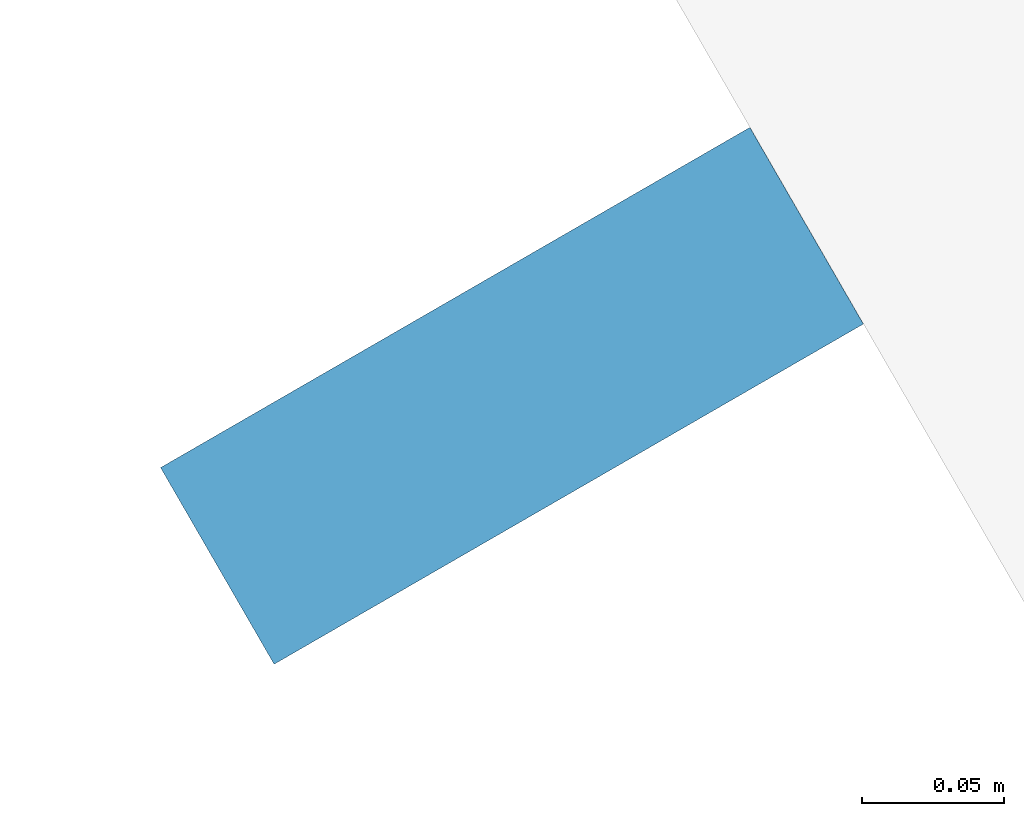
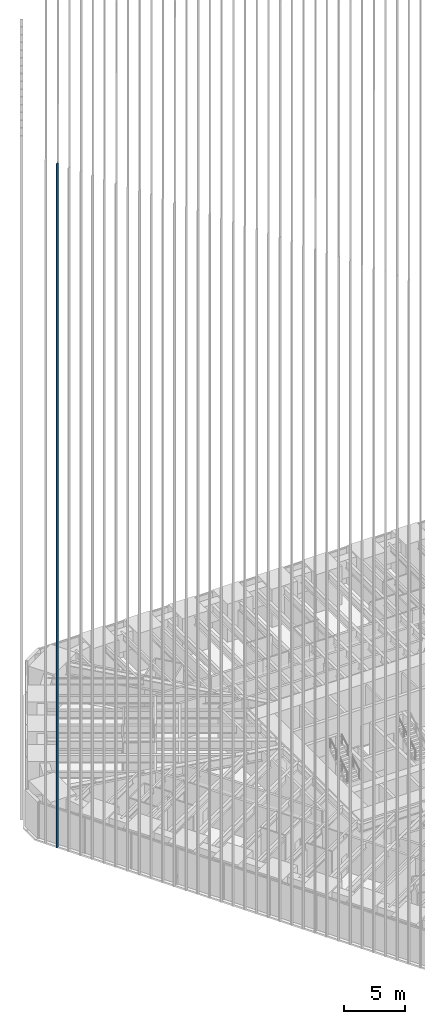
# One storey, part 132 of 256: 1 member, 1 element without a shape of its own.
"""IFC4 building model written with IfcOpenShell, lengths in metres."""

from ifc_helpers import new_model, si_unit, direction, frame, origin, origin_2d, place, context, subcontext, project, spatial, rectangle, extrude, material, material_profile, profile_set, type_object, element, aggregate, save


model = new_model("IFC4")

# Units and contexts
model_context = context("Model", 3, precision=1e-05, world=origin(), true_north=direction((0.0, 1.0)))
body_context = subcontext(model_context, "Body", "Model", "MODEL_VIEW")
ifc_project = project(units=[si_unit("LENGTHUNIT", "METRE"), si_unit("AREAUNIT", "SQUARE_METRE"), si_unit("VOLUMEUNIT", "CUBIC_METRE"), si_unit("PLANEANGLEUNIT", "RADIAN"), si_unit("MASSUNIT", "GRAM", prefix="KILO")], contexts=[model_context])

# Site, building, storey
site_placement = place(None, origin())
site = spatial("IfcSite", under=ifc_project, at=site_placement, CompositionType="ELEMENT")
building_placement = place(site_placement, origin())
building = spatial("IfcBuilding", under=site, at=building_placement, Name="Sandreach Pilgrim Tower", CompositionType="ELEMENT")
storey_placement = place(building_placement, frame((0.0, 0.0, 23.0)))
storey = spatial("IfcBuildingStorey", under=building, at=storey_placement, Name="L04", CompositionType="ELEMENT", Elevation=23.0)

# Curtain wall, member
ifc_material_1 = material(Name="Aluminium framed curtain wall", Category="aluminium")
curtain_wall_type = type_object("IfcCurtainWallType", Name="Hostel tower curtain wall", PredefinedType="NOTDEFINED", material=ifc_material_1)
curtain_wall_placement = place(storey_placement, origin())
curtain_wall = element("IfcCurtainWall", 1, at=curtain_wall_placement, inside=storey, type_object=curtain_wall_type, Name="CW-1 L04 SW", PredefinedType="NOTDEFINED")
ifc_material_2 = material(Name="Extruded terracotta on aluminium core", Category="masonry")
ifc_material_profile = material_profile(ifc_material_2, rectangle(XDim=0.080078125, YDim=0.239990234375, at=origin_2d()), Name="TBW 80X240")
ifc_profile_set = profile_set([ifc_material_profile], Name="Extruded terracotta on aluminium core")
member_type = type_object("IfcMemberType", Name="Terracotta baguette west", PredefinedType="USERDEFINED", material=ifc_profile_set)
member_placement = place(storey_placement, frame((-29.954833984375, 3.14599609375, 0.0), z_axis=(0.0, 0.0, 1.0), x_axis=(-0.5, 0.866025403784, 0.0)))
member = element("IfcMember", 2, at=member_placement, type_object=member_type, Name="Baguette Z1 SW34", ObjectType="BAGUETTE", PredefinedType="USERDEFINED", context=body_context, shape_type="SweptSolid", body=[
    extrude(rectangle(XDim=0.080078125, YDim=0.239990234375, at=origin_2d()), origin(), (0.0, 0.0, 1.0), 68.239990234375),
])
aggregate(curtain_wall, [member])

save(model, "model.ifc")
